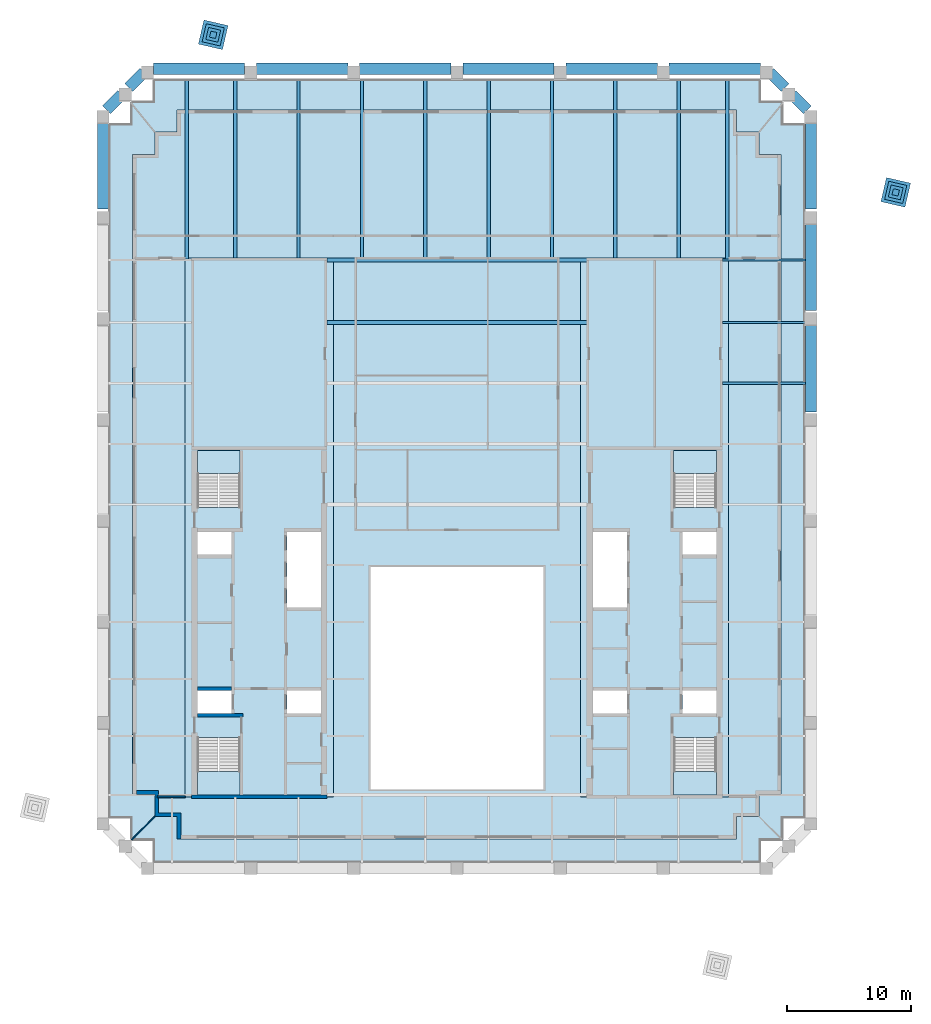
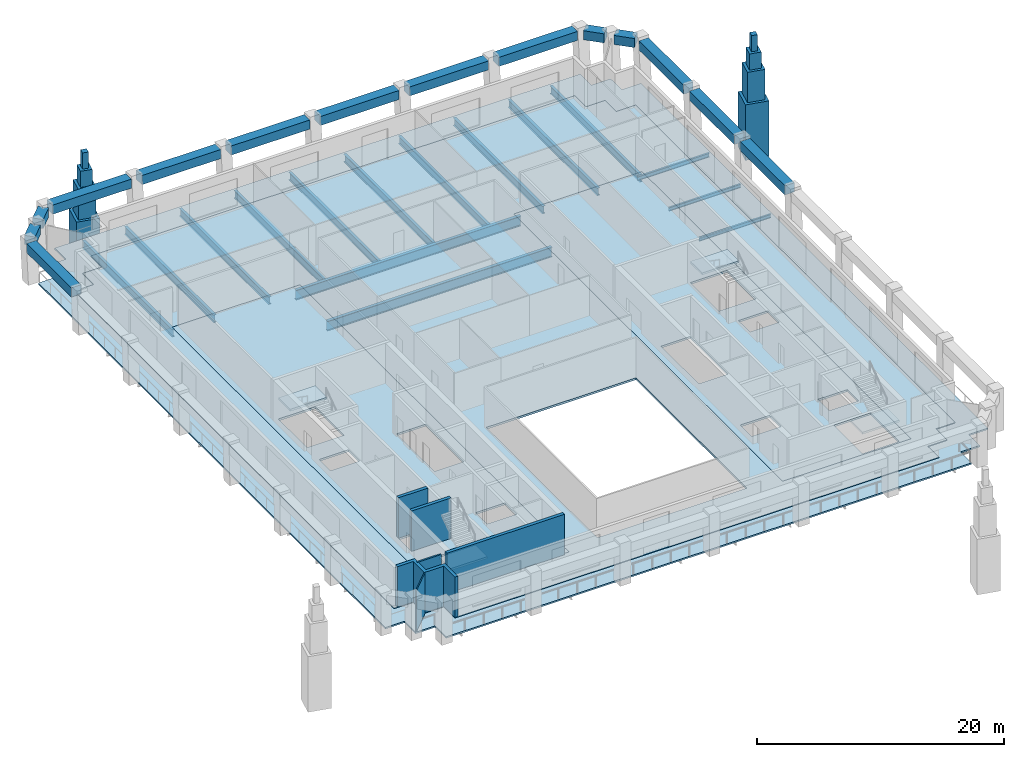
# One storey, part 2 of 8: 29 beams, 8 members, 8 slabs, 6 walls, 4 elements without a shape of their own.
"""IFC4 building model written with IfcOpenShell, lengths in metres."""

from ifc_helpers import new_model, si_unit, direction, frame, frame_2d, origin, origin_2d, place, context, subcontext, project, spatial, polyline, rectangle, i_section, outline, extrude, material, layer, layer_set, material_profile, profile_set, type_object, element, aggregate, save


model = new_model("IFC4")

# Units and contexts
model_context = context("Model", 3, precision=1e-05, world=origin(), true_north=direction((0.0, 1.0)))
body_context = subcontext(model_context, "Body", "Model", "MODEL_VIEW")
ifc_project = project(units=[si_unit("LENGTHUNIT", "METRE"), si_unit("AREAUNIT", "SQUARE_METRE"), si_unit("VOLUMEUNIT", "CUBIC_METRE"), si_unit("PLANEANGLEUNIT", "RADIAN"), si_unit("MASSUNIT", "GRAM", prefix="KILO")], contexts=[model_context])

# Site, building, storey
site_placement = place(None, origin())
site = spatial("IfcSite", under=ifc_project, at=site_placement, CompositionType="ELEMENT")
building_placement = place(site_placement, origin())
building = spatial("IfcBuilding", under=site, at=building_placement, Name="Ogive Exchange Tower", CompositionType="ELEMENT")
storey_placement = place(building_placement, frame((0.0, 0.0, 309.0)))
storey = spatial("IfcBuildingStorey", under=building, at=storey_placement, Name="L67", CompositionType="ELEMENT", Elevation=309.0)

# Beams
ifc_material_1 = material(Name="Steel ASTM A992 Gr50", Category="steel")
ifc_material_profile_1 = material_profile(ifc_material_1, i_section(OverallWidth=0.300048828125, OverallDepth=0.97998046875, WebThickness=0.0166015625, FlangeThickness=0.026123046875, at=origin_2d()), Name="W1000x249")
ifc_profile_set_1 = profile_set([ifc_material_profile_1], Name="Steel ASTM A992 Gr50")
beam_type_1 = type_object("IfcBeamType", Name="Floor beam W1000x249", PredefinedType="JOIST", material=ifc_profile_set_1)
beam_1_placement = place(storey_placement, frame((-10.52001953125, 35.782958984375, -0.68994140625), z_axis=(1.0, 0.0, 0.0), x_axis=(0.0, 1.0, 0.0)))
element("IfcBeam", 1, at=beam_1_placement, inside=storey, type_object=beam_type_1, Name="Floor beam", PredefinedType="JOIST", context=body_context, shape_type="SweptSolid", body=[
    extrude(i_section(OverallWidth=0.300048828125, OverallDepth=0.97998046875, WebThickness=0.0166015625, FlangeThickness=0.026123046875, at=origin_2d()), origin(), (0.0, 0.0, 1.0), 21.0400390625),
])
ifc_material_profile_2 = material_profile(ifc_material_1, i_section(OverallWidth=0.1708984375, OverallDepth=0.35595703125, WebThickness=0.00732421875, FlangeThickness=0.01171875, at=origin_2d()), Name="W360x51")
ifc_profile_set_2 = profile_set([ifc_material_profile_2], Name="Steel ASTM A992 Gr50")
beam_type_2 = type_object("IfcBeamType", Name="Floor beam W360x51", PredefinedType="JOIST", material=ifc_profile_set_2)
for number, where, z_axis, x_axis, name in (
    (2, (21.47998046875, 30.8759765625, -0.3779296875), (1.0, 0.0, 0.0), (0.0, 1.0, 0.0), "Floor beam"),
    (3, (21.47998046875, 35.782958984375, -0.3779296875), (1.0, 0.0, 0.0), (0.0, 1.0, 0.0), "Floor beam"),
):
    element("IfcBeam", number, at=place(storey_placement, frame(where, z_axis=z_axis, x_axis=x_axis)), inside=storey, type_object=beam_type_2, Name=name, PredefinedType="JOIST", context=body_context, shape_type="SweptSolid", body=[
        extrude(i_section(OverallWidth=0.1708984375, OverallDepth=0.35595703125, WebThickness=0.00732421875, FlangeThickness=0.01171875, at=origin_2d()), origin(), (0.0, 0.0, 1.0), 6.719970703125),
    ])
ifc_material_profile_3 = material_profile(ifc_material_1, i_section(OverallWidth=0.26708984375, OverallDepth=0.75390625, WebThickness=0.01318359375, FlangeThickness=0.01708984375, at=origin_2d()), Name="W760x147")
ifc_profile_set_3 = profile_set([ifc_material_profile_3], Name="Steel ASTM A992 Gr50")
beam_type_3 = type_object("IfcBeamType", Name="Floor beam W760x147", PredefinedType="JOIST", material=ifc_profile_set_3)
beam_2_placement = place(storey_placement, frame((-21.872802734375, 40.93408203125, -0.576904296875), z_axis=(0.0, 1.0, 0.0), x_axis=(-1.0, 0.0, 0.0)))
element("IfcBeam", 4, at=beam_2_placement, inside=storey, type_object=beam_type_3, Name="Floor beam", PredefinedType="JOIST", context=body_context, shape_type="SweptSolid", body=[
    extrude(i_section(OverallWidth=0.26708984375, OverallDepth=0.75390625, WebThickness=0.01318359375, FlangeThickness=0.01708984375, at=origin_2d()), origin(), (0.0, 0.0, 1.0), 14.5615234375),
])
for number, where, z_axis, x_axis, name in (
    (5, (-17.945556640625, 41.0, -0.576904296875), (0.0, 1.0, 0.0), (-1.0, 0.0, 0.0), "Floor beam"),
    (6, (-12.818115234375, 41.0, -0.576904296875), (0.0, 1.0, 0.0), (-1.0, 0.0, 0.0), "Floor beam"),
):
    element("IfcBeam", number, at=place(storey_placement, frame(where, z_axis=z_axis, x_axis=x_axis)), inside=storey, type_object=beam_type_3, Name=name, PredefinedType="JOIST", context=body_context, shape_type="SweptSolid", body=[
        extrude(i_section(OverallWidth=0.26708984375, OverallDepth=0.75390625, WebThickness=0.01318359375, FlangeThickness=0.01708984375, at=origin_2d()), origin(), (0.0, 0.0, 1.0), 14.49560546875),
    ])
for number, where, z_axis, x_axis, name in (
    (7, (-7.69091796875, 40.9951171875, -0.576904296875), (0.0, 1.0, 0.0), (-1.0, 0.0, 0.0), "Floor beam"),
    (8, (-2.563720703125, 40.9951171875, -0.576904296875), (0.0, 1.0, 0.0), (-1.0, 0.0, 0.0), "Floor beam"),
    (9, (2.563720703125, 40.9951171875, -0.576904296875), (0.0, 1.0, 0.0), (-1.0, 0.0, 0.0), "Floor beam"),
    (10, (7.69091796875, 40.9951171875, -0.576904296875), (0.0, 1.0, 0.0), (-1.0, 0.0, 0.0), "Floor beam"),
):
    element("IfcBeam", number, at=place(storey_placement, frame(where, z_axis=z_axis, x_axis=x_axis)), inside=storey, type_object=beam_type_3, Name=name, PredefinedType="JOIST", context=body_context, shape_type="SweptSolid", body=[
        extrude(i_section(OverallWidth=0.26708984375, OverallDepth=0.75390625, WebThickness=0.01318359375, FlangeThickness=0.01708984375, at=origin_2d()), origin(), (0.0, 0.0, 1.0), 14.50048828125),
    ])
for number, where, z_axis, x_axis, name in (
    (11, (12.818115234375, 41.0, -0.576904296875), (0.0, 1.0, 0.0), (-1.0, 0.0, 0.0), "Floor beam"),
    (12, (17.945556640625, 41.0, -0.576904296875), (0.0, 1.0, 0.0), (-1.0, 0.0, 0.0), "Floor beam"),
):
    element("IfcBeam", number, at=place(storey_placement, frame(where, z_axis=z_axis, x_axis=x_axis)), inside=storey, type_object=beam_type_3, Name=name, PredefinedType="JOIST", context=body_context, shape_type="SweptSolid", body=[
        extrude(i_section(OverallWidth=0.26708984375, OverallDepth=0.75390625, WebThickness=0.01318359375, FlangeThickness=0.01708984375, at=origin_2d()), origin(), (0.0, 0.0, 1.0), 14.49560546875),
    ])
beam_3_placement = place(storey_placement, frame((21.872802734375, 40.93408203125, -0.576904296875), z_axis=(0.0, 1.0, 0.0), x_axis=(-1.0, 0.0, 0.0)))
element("IfcBeam", 13, at=beam_3_placement, inside=storey, type_object=beam_type_3, Name="Floor beam", PredefinedType="JOIST", context=body_context, shape_type="SweptSolid", body=[
    extrude(i_section(OverallWidth=0.26708984375, OverallDepth=0.75390625, WebThickness=0.01318359375, FlangeThickness=0.01708984375, at=origin_2d()), origin(), (0.0, 0.0, 1.0), 14.5615234375),
])
ifc_material_profile_4 = material_profile(ifc_material_1, i_section(OverallWidth=0.300048828125, OverallDepth=0.97998046875, WebThickness=0.0166015625, FlangeThickness=0.026123046875, at=origin_2d()), Name="W1000x249")
ifc_profile_set_4 = profile_set([ifc_material_profile_4], Name="Steel ASTM A992 Gr50")
beam_type_4 = type_object("IfcBeamType", Name="Girder W1000x249", PredefinedType="BEAM", material=ifc_profile_set_4)
beam_4_placement = place(storey_placement, frame((-10.52001953125, 40.844970703125, -0.68994140625), z_axis=(1.0, 0.0, 0.0), x_axis=(0.0, 1.0, 0.0)))
element("IfcBeam", 14, at=beam_4_placement, inside=storey, type_object=beam_type_4, Name="Header girder", PredefinedType="BEAM", context=body_context, shape_type="SweptSolid", body=[
    extrude(i_section(OverallWidth=0.300048828125, OverallDepth=0.97998046875, WebThickness=0.0166015625, FlangeThickness=0.026123046875, at=origin_2d()), origin(), (0.0, 0.0, 1.0), 21.0400390625),
])
ifc_material_profile_5 = material_profile(ifc_material_1, i_section(OverallWidth=0.177978515625, OverallDepth=0.406005859375, WebThickness=0.0078125, FlangeThickness=0.0126953125, at=origin_2d()), Name="W410x60")
ifc_profile_set_5 = profile_set([ifc_material_profile_5], Name="Steel ASTM A992 Gr50")
beam_type_5 = type_object("IfcBeamType", Name="Girder W410x60", PredefinedType="BEAM", material=ifc_profile_set_5)
beam_5_placement = place(storey_placement, frame((21.47998046875, 40.844970703125, -0.403076171875), z_axis=(1.0, 0.0, 0.0), x_axis=(0.0, 1.0, 0.0)))
element("IfcBeam", 15, at=beam_5_placement, inside=storey, type_object=beam_type_5, Name="Header girder", PredefinedType="BEAM", context=body_context, shape_type="SweptSolid", body=[
    extrude(i_section(OverallWidth=0.177978515625, OverallDepth=0.406005859375, WebThickness=0.0078125, FlangeThickness=0.0126953125, at=origin_2d()), origin(), (0.0, 0.0, 1.0), 6.719970703125),
])

# Members
ifc_material_2 = material(Name="Precast concrete C50/60", Category="concrete")
ifc_material_profile_6 = material_profile(ifc_material_2, rectangle(XDim=2.0, YDim=2.0, at=origin_2d()), Name="PINNACLE 1 2000 x 2000")
ifc_profile_set_6 = profile_set([ifc_material_profile_6], Name="Precast concrete C50/60")
member_type_1 = type_object("IfcMemberType", Name="Precast pinnacle stage 1 2000 x 2000 C50/60", PredefinedType="USERDEFINED", material=ifc_profile_set_6)
for number, where, z_axis, x_axis, name in (
    (16, (35.51904296875, 46.322998046875, -6.0), (0.0, 0.0, 1.0), (0.974370064785, -0.224951054344, 0.0), "Head pinnacle 4-2"),
    (17, (-19.72802734375, 59.077880859375, -6.0), (0.0, 0.0, 1.0), (0.974370064785, -0.224951054344, 0.0), "Head pinnacle 4-3"),
):
    element("IfcMember", number, at=place(storey_placement, frame(where, z_axis=z_axis, x_axis=x_axis)), inside=storey, type_object=member_type_1, Name=name, ObjectType="PINNACLE", PredefinedType="USERDEFINED", context=body_context, shape_type="SweptSolid", body=[
        extrude(rectangle(XDim=2.0, YDim=2.0, at=origin_2d()), origin(), (0.0, 0.0, 1.0), 5.5),
    ])
ifc_material_profile_7 = material_profile(ifc_material_2, rectangle(XDim=1.5, YDim=1.5, at=origin_2d()), Name="PINNACLE 2 1500 x 1500")
ifc_profile_set_7 = profile_set([ifc_material_profile_7], Name="Precast concrete C50/60")
member_type_2 = type_object("IfcMemberType", Name="Precast pinnacle stage 2 1500 x 1500 C50/60", PredefinedType="USERDEFINED", material=ifc_profile_set_7)
for number, where, z_axis, x_axis, name in (
    (18, (35.51904296875, 46.322998046875, -0.5), (0.0, 0.0, 1.0), (0.974370064785, -0.224951054344, 0.0), "Head pinnacle 4-2 stage 2"),
    (19, (-19.72802734375, 59.077880859375, -0.5), (0.0, 0.0, 1.0), (0.974370064785, -0.224951054344, 0.0), "Head pinnacle 4-3 stage 2"),
):
    element("IfcMember", number, at=place(storey_placement, frame(where, z_axis=z_axis, x_axis=x_axis)), inside=storey, type_object=member_type_2, Name=name, ObjectType="PINNACLE", PredefinedType="USERDEFINED", context=body_context, shape_type="SweptSolid", body=[
        extrude(rectangle(XDim=1.5, YDim=1.5, at=origin_2d()), origin(), (0.0, 0.0, 1.0), 3.0),
    ])
ifc_material_profile_8 = material_profile(ifc_material_2, rectangle(XDim=1.0, YDim=1.0, at=origin_2d()), Name="PINNACLE 3 1000 x 1000")
ifc_profile_set_8 = profile_set([ifc_material_profile_8], Name="Precast concrete C50/60")
member_type_3 = type_object("IfcMemberType", Name="Precast pinnacle stage 3 1000 x 1000 C50/60", PredefinedType="USERDEFINED", material=ifc_profile_set_8)
for number, where, z_axis, x_axis, name in (
    (20, (35.51904296875, 46.322998046875, 2.5), (0.0, 0.0, 1.0), (0.974370064785, -0.224951054344, 0.0), "Head pinnacle 4-2 stage 3"),
    (21, (-19.72802734375, 59.077880859375, 2.5), (0.0, 0.0, 1.0), (0.974370064785, -0.224951054344, 0.0), "Head pinnacle 4-3 stage 3"),
):
    element("IfcMember", number, at=place(storey_placement, frame(where, z_axis=z_axis, x_axis=x_axis)), inside=storey, type_object=member_type_3, Name=name, ObjectType="PINNACLE", PredefinedType="USERDEFINED", context=body_context, shape_type="SweptSolid", body=[
        extrude(rectangle(XDim=1.0, YDim=1.0, at=origin_2d()), origin(), (0.0, 0.0, 1.0), 1.60009765625),
    ])
ifc_material_profile_9 = material_profile(ifc_material_2, rectangle(XDim=0.5, YDim=0.5, at=origin_2d()), Name="PINNACLE 4 500 x 500")
ifc_profile_set_9 = profile_set([ifc_material_profile_9], Name="Precast concrete C50/60")
member_type_4 = type_object("IfcMemberType", Name="Precast pinnacle stage 4 500 x 500 C50/60", PredefinedType="USERDEFINED", material=ifc_profile_set_9)
for number, where, z_axis, x_axis, name in (
    (22, (35.51904296875, 46.322998046875, 4.10009765625), (0.0, 0.0, 1.0), (0.974370064785, -0.224951054344, 0.0), "Head pinnacle 4-2 stage 4"),
    (23, (-19.72802734375, 59.077880859375, 4.10009765625), (0.0, 0.0, 1.0), (0.974370064785, -0.224951054344, 0.0), "Head pinnacle 4-3 stage 4"),
):
    element("IfcMember", number, at=place(storey_placement, frame(where, z_axis=z_axis, x_axis=x_axis)), inside=storey, type_object=member_type_4, Name=name, ObjectType="PINNACLE", PredefinedType="USERDEFINED", context=body_context, shape_type="SweptSolid", body=[
        extrude(rectangle(XDim=0.5, YDim=0.5, at=origin_2d()), origin(), (0.0, 0.0, 1.0), 1.599853515625),
    ])

# Beams
ifc_material_3 = material(Name="Precast concrete C70/85 (limestone faced)", Category="masonry")
ifc_material_profile_10 = material_profile(ifc_material_3, rectangle(XDim=0.89990234375, YDim=0.89990234375, at=origin_2d()), Name="900 x 900")
ifc_profile_set_10 = profile_set([ifc_material_profile_10], Name="Precast concrete C70/85 (limestone faced)")
beam_type_6 = type_object("IfcBeamType", Name="Precast spandrel 900 x 900 C70/85", PredefinedType="SPANDREL", material=ifc_profile_set_10)
for number, where, z_axis, x_axis, name in (
    (24, (28.64990234375, 28.552734375, 3.5), (0.0, 1.0, 0.0), (-1.0, 0.0, 0.0), "Spandrel 13"),
    (25, (28.64990234375, 36.77099609375, 3.5), (0.0, 1.0, 0.0), (-1.0, 0.0, 0.0), "Spandrel 14"),
):
    element("IfcBeam", number, at=place(storey_placement, frame(where, z_axis=z_axis, x_axis=x_axis)), inside=storey, type_object=beam_type_6, Name=name, PredefinedType="SPANDREL", context=body_context, shape_type="SweptSolid", body=[
        extrude(rectangle(XDim=0.89990234375, YDim=0.89990234375, at=origin_2d()), origin(), (0.0, 0.0, 1.0), 7.258056640625),
    ])
beam_6_placement = place(storey_placement, frame((28.64990234375, 44.989013671875, 3.5), z_axis=(0.0, 1.0, 0.0), x_axis=(-1.0, 0.0, 0.0)))
element("IfcBeam", 26, at=beam_6_placement, inside=storey, type_object=beam_type_6, Name="Spandrel 15", PredefinedType="SPANDREL", context=body_context, shape_type="SweptSolid", body=[
    extrude(rectangle(XDim=0.89990234375, YDim=0.89990234375, at=origin_2d()), origin(), (0.0, 0.0, 1.0), 7.25830078125),
])
beam_7_placement = place(storey_placement, frame((28.362060546875, 53.01513671875, 3.5), z_axis=(-0.707036271462, 0.707177283881, 0.0), x_axis=(-0.707177283881, -0.707036271462, 0.0)))
element("IfcBeam", 27, at=beam_7_placement, inside=storey, type_object=beam_type_6, Name="Spandrel 16", PredefinedType="SPANDREL", context=body_context, shape_type="SweptSolid", body=[
    extrude(rectangle(XDim=0.89990234375, YDim=0.89990234375, at=origin_2d()), origin(), (0.0, 0.0, 1.0), 1.7314453125),
])
beam_8_placement = place(storey_placement, frame((26.56201171875, 54.815185546875, 3.5), z_axis=(-0.707106781187, 0.707106781187, 0.0), x_axis=(-0.707106781187, -0.707106781187, 0.0)))
element("IfcBeam", 28, at=beam_8_placement, inside=storey, type_object=beam_type_6, Name="Spandrel 17", PredefinedType="SPANDREL", context=body_context, shape_type="SweptSolid", body=[
    extrude(rectangle(XDim=0.89990234375, YDim=0.89990234375, at=origin_2d()), origin(), (0.0, 0.0, 1.0), 1.731201171875),
])
beam_9_placement = place(storey_placement, frame((24.570068359375, 56.327392578125, 3.5), z_axis=(-1.0, 0.0, 0.0), x_axis=(0.0, -1.0, 0.0)))
element("IfcBeam", 29, at=beam_9_placement, inside=storey, type_object=beam_type_6, Name="Spandrel 18", PredefinedType="SPANDREL", context=body_context, shape_type="SweptSolid", body=[
    extrude(rectangle(XDim=0.89990234375, YDim=0.89990234375, at=origin_2d()), origin(), (0.0, 0.0, 1.0), 7.39013671875),
])
beam_10_placement = place(storey_placement, frame((16.219970703125, 56.327392578125, 3.5), z_axis=(-1.0, 0.0, 0.0), x_axis=(0.0, -1.0, 0.0)))
element("IfcBeam", 30, at=beam_10_placement, inside=storey, type_object=beam_type_6, Name="Spandrel 19", PredefinedType="SPANDREL", context=body_context, shape_type="SweptSolid", body=[
    extrude(rectangle(XDim=0.89990234375, YDim=0.89990234375, at=origin_2d()), origin(), (0.0, 0.0, 1.0), 7.389892578125),
])
for number, where, z_axis, x_axis, name in (
    (31, (7.8701171875, 56.327392578125, 3.5), (-1.0, 0.0, 0.0), (0.0, -1.0, 0.0), "Spandrel 20"),
    (32, (-0.47998046875, 56.327392578125, 3.5), (-1.0, 0.0, 0.0), (0.0, -1.0, 0.0), "Spandrel 21"),
):
    element("IfcBeam", number, at=place(storey_placement, frame(where, z_axis=z_axis, x_axis=x_axis)), inside=storey, type_object=beam_type_6, Name=name, PredefinedType="SPANDREL", context=body_context, shape_type="SweptSolid", body=[
        extrude(rectangle(XDim=0.89990234375, YDim=0.89990234375, at=origin_2d()), origin(), (0.0, 0.0, 1.0), 7.39013671875),
    ])
beam_11_placement = place(storey_placement, frame((-8.830078125, 56.327392578125, 3.5), z_axis=(-1.0, 0.0, 0.0), x_axis=(0.0, -1.0, 0.0)))
element("IfcBeam", 33, at=beam_11_placement, inside=storey, type_object=beam_type_6, Name="Spandrel 22", PredefinedType="SPANDREL", context=body_context, shape_type="SweptSolid", body=[
    extrude(rectangle(XDim=0.89990234375, YDim=0.89990234375, at=origin_2d()), origin(), (0.0, 0.0, 1.0), 7.389892578125),
])
beam_12_placement = place(storey_placement, frame((-17.179931640625, 56.327392578125, 3.5), z_axis=(-1.0, 0.0, 0.0), x_axis=(0.0, -1.0, 0.0)))
element("IfcBeam", 34, at=beam_12_placement, inside=storey, type_object=beam_type_6, Name="Spandrel 23", PredefinedType="SPANDREL", context=body_context, shape_type="SweptSolid", body=[
    extrude(rectangle(XDim=0.89990234375, YDim=0.89990234375, at=origin_2d()), origin(), (0.0, 0.0, 1.0), 7.39013671875),
])
beam_13_placement = place(storey_placement, frame((-25.337890625, 56.039306640625, 3.5), z_axis=(-0.707106781187, -0.707106781187, 0.0), x_axis=(0.707106781187, -0.707106781187, 0.0)))
element("IfcBeam", 35, at=beam_13_placement, inside=storey, type_object=beam_type_6, Name="Spandrel 24", PredefinedType="SPANDREL", context=body_context, shape_type="SweptSolid", body=[
    extrude(rectangle(XDim=0.89990234375, YDim=0.89990234375, at=origin_2d()), origin(), (0.0, 0.0, 1.0), 1.731201171875),
])
beam_14_placement = place(storey_placement, frame((-27.137939453125, 54.239501953125, 3.5), z_axis=(-0.707036271462, -0.707177283881, 0.0), x_axis=(0.707177283881, -0.707036271462, 0.0)))
element("IfcBeam", 36, at=beam_14_placement, inside=storey, type_object=beam_type_6, Name="Spandrel 25", PredefinedType="SPANDREL", context=body_context, shape_type="SweptSolid", body=[
    extrude(rectangle(XDim=0.89990234375, YDim=0.89990234375, at=origin_2d()), origin(), (0.0, 0.0, 1.0), 1.7314453125),
])
beam_15_placement = place(storey_placement, frame((-28.64990234375, 52.247314453125, 3.5), z_axis=(0.0, -1.0, 0.0), x_axis=(1.0, 0.0, 0.0)))
element("IfcBeam", 37, at=beam_15_placement, inside=storey, type_object=beam_type_6, Name="Spandrel 26", PredefinedType="SPANDREL", context=body_context, shape_type="SweptSolid", body=[
    extrude(rectangle(XDim=0.89990234375, YDim=0.89990234375, at=origin_2d()), origin(), (0.0, 0.0, 1.0), 7.25830078125),
])

# Slabs
ifc_material_4 = material(Name="Concrete C50/60", Category="concrete")
ifc_layer_1 = layer(ifc_material_4, 0.199951171875)
ifc_layer_set_1 = layer_set([ifc_layer_1], Name="Composite floor slab 200")
slab_type_1 = type_object("IfcSlabType", Name="Composite floor slab 200", PredefinedType="FLOOR", material=ifc_layer_set_1)
slab_1_placement = place(storey_placement, frame((0.0, 0.0, -0.199951171875)))
element("IfcSlab", 38, at=slab_1_placement, inside=storey, type_object=slab_type_1, Name="Composite floor slab", PredefinedType="FLOOR", context=body_context, shape_type="SweptSolid", body=[
    extrude(outline(polyline([(-22.64990234375, -4.199951171875), (-24.449951171875, -4.199951171875), (-24.449951171875, -2.39990234375), (-26.25, -2.39990234375), (-26.25, 49.39990234375), (-24.449951171875, 49.39990234375), (-24.449951171875, 51.199951171875), (-22.64990234375, 51.199951171875), (-22.64990234375, 53.0), (22.64990234375, 53.0), (22.64990234375, 51.199951171875), (24.449951171875, 51.199951171875), (24.449951171875, 49.39990234375), (26.25, 49.39990234375), (26.25, -2.39990234375), (24.449951171875, -2.39990234375), (24.449951171875, -4.199951171875), (22.64990234375, -4.199951171875), (22.64990234375, -6.0), (-22.64990234375, -6.0), (-22.64990234375, -4.199951171875)]), holes=[polyline([(7.0, -2.0), (7.0, 16.0), (-7.0, 16.0), (-7.0, -2.0), (7.0, -2.0)]), polyline([(-22.0, -2.60009765625), (-10.0, -2.60009765625), (-10.0, 41.0), (-22.0, 41.0), (-22.0, -2.60009765625)]), polyline([(10.0, -2.60009765625), (22.0, -2.60009765625), (22.0, 41.0), (10.0, 41.0), (10.0, -2.60009765625)])]), origin(), (0.0, 0.0, 1.0), 0.199951171875),
])
ifc_material_5 = material(Name="Concrete C70/85", Category="concrete")
ifc_layer_2 = layer(ifc_material_5, 0.199951171875)
ifc_layer_set_2 = layer_set([ifc_layer_2], Name="Core floor slab 200")
slab_type_2 = type_object("IfcSlabType", Name="Core floor slab 200", PredefinedType="FLOOR", material=ifc_layer_set_2)
slab_2_placement = place(storey_placement, frame((0.0, 0.0, -0.199951171875)))
element("IfcSlab", 39, at=slab_2_placement, inside=storey, type_object=slab_type_2, Name="Core floor slab", PredefinedType="FLOOR", context=body_context, shape_type="SweptSolid", body=[
    extrude(outline(polyline([(-22.0, -2.60009765625), (-22.0, 41.0), (-10.0, 41.0), (-10.0, -2.60009765625), (-22.0, -2.60009765625)]), holes=[polyline([(-17.550048828125, 2.196044921875), (-21.0, 2.196044921875), (-21.0, -2.449951171875), (-17.550048828125, -2.449951171875), (-17.550048828125, 2.196044921875)]), polyline([(-18.25, 5.992919921875), (-21.0, 5.992919921875), (-21.0, 4.14990234375), (-18.25, 4.14990234375), (-18.25, 5.992919921875)]), polyline([(-11.0, 5.992919921875), (-13.75, 5.992919921875), (-13.75, 4.14990234375), (-11.0, 4.14990234375), (-11.0, 5.992919921875)]), polyline([(-13.75, 18.85009765625), (-13.75, 12.721435546875), (-11.0, 12.721435546875), (-11.0, 18.85009765625), (-13.75, 18.85009765625)]), polyline([(-18.25, 18.85009765625), (-21.0, 18.85009765625), (-21.0, 17.007080078125), (-18.25, 17.007080078125), (-18.25, 18.85009765625)]), polyline([(-21.0, 25.449951171875), (-21.0, 20.803955078125), (-17.550048828125, 20.803955078125), (-17.550048828125, 25.449951171875), (-21.0, 25.449951171875)])]), origin(), (0.0, 0.0, 1.0), 0.199951171875),
])
slab_3_placement = place(storey_placement, frame((0.0, 0.0, -0.199951171875)))
element("IfcSlab", 40, at=slab_3_placement, inside=storey, type_object=slab_type_2, Name="Core floor slab", PredefinedType="FLOOR", context=body_context, shape_type="SweptSolid", body=[
    extrude(outline(polyline([(10.0, -2.60009765625), (10.0, 41.0), (22.0, 41.0), (22.0, -2.60009765625), (10.0, -2.60009765625)]), holes=[polyline([(21.0, 2.196044921875), (17.550048828125, 2.196044921875), (17.550048828125, -2.449951171875), (21.0, -2.449951171875), (21.0, 2.196044921875)]), polyline([(13.75, 5.992919921875), (11.0, 5.992919921875), (11.0, 4.14990234375), (13.75, 4.14990234375), (13.75, 5.992919921875)]), polyline([(21.0, 5.992919921875), (18.25, 5.992919921875), (18.25, 4.14990234375), (21.0, 4.14990234375), (21.0, 5.992919921875)]), polyline([(11.0, 18.85009765625), (11.0, 12.721435546875), (13.75, 12.721435546875), (13.75, 18.85009765625), (11.0, 18.85009765625)]), polyline([(21.0, 18.85009765625), (18.25, 18.85009765625), (18.25, 17.007080078125), (21.0, 17.007080078125), (21.0, 18.85009765625)]), polyline([(17.550048828125, 25.449951171875), (17.550048828125, 20.803955078125), (21.0, 20.803955078125), (21.0, 25.449951171875), (17.550048828125, 25.449951171875)])]), origin(), (0.0, 0.0, 1.0), 0.199951171875),
])
ifc_layer_3 = layer(ifc_material_4, 0.14990234375)
ifc_layer_set_3 = layer_set([ifc_layer_3], Name="Loggia deck 150")
slab_type_3 = type_object("IfcSlabType", Name="Loggia deck 150", PredefinedType="FLOOR", material=ifc_layer_set_3)
slab_4_placement = place(storey_placement, frame((0.0, 0.0, -0.199951171875)))
element("IfcSlab", 41, at=slab_4_placement, inside=storey, type_object=slab_type_3, Name="Loggia deck", PredefinedType="FLOOR", context=body_context, shape_type="SweptSolid", body=[
    extrude(outline(polyline([(-24.60009765625, -6.14990234375), (-26.39990234375, -6.14990234375), (-26.39990234375, -4.35009765625), (-28.199951171875, -4.35009765625), (-28.199951171875, 51.8955078125), (-26.39990234375, 51.8955078125), (-26.39990234375, 53.695556640625), (-24.60009765625, 53.695556640625), (-24.60009765625, 55.49560546875), (24.60009765625, 55.49560546875), (24.60009765625, 53.695556640625), (26.39990234375, 53.695556640625), (26.39990234375, 51.8955078125), (28.199951171875, 51.8955078125), (28.199951171875, -4.35009765625), (26.39990234375, -4.35009765625), (26.39990234375, -6.14990234375), (24.60009765625, -6.14990234375), (24.60009765625, -7.949951171875), (-24.60009765625, -7.949951171875), (-24.60009765625, -6.14990234375)]), holes=[polyline([(22.64990234375, -4.199951171875), (24.449951171875, -4.199951171875), (24.449951171875, -2.39990234375), (26.25, -2.39990234375), (26.25, 49.39990234375), (24.449951171875, 49.39990234375), (24.449951171875, 51.199951171875), (22.64990234375, 51.199951171875), (22.64990234375, 53.0), (-22.64990234375, 53.0), (-22.64990234375, 51.199951171875), (-24.449951171875, 51.199951171875), (-24.449951171875, 49.39990234375), (-26.25, 49.39990234375), (-26.25, -2.39990234375), (-24.449951171875, -2.39990234375), (-24.449951171875, -4.199951171875), (-22.64990234375, -4.199951171875), (-22.64990234375, -6.0), (22.64990234375, -6.0), (22.64990234375, -4.199951171875)])]), origin(), (0.0, 0.0, 1.0), 0.14990234375),
])

# Stair, slab
ifc_material_6 = material(Name="Concrete C40/50", Category="concrete")
stair_type = type_object("IfcStairType", Name="Exit stair 1650 wide", PredefinedType="HALF_TURN_STAIR", material=ifc_material_6)
stair_1_placement = place(storey_placement, origin())
stair_1 = element("IfcStair", 42, at=stair_1_placement, inside=storey, type_object=stair_type, Name="L67 exit stair ST1", PredefinedType="HALF_TURN_STAIR")
ifc_layer_4 = layer(ifc_material_6, 0.199951171875)
ifc_layer_set_4 = layer_set([ifc_layer_4], Name="Stair landing 200 slab")
slab_type_4 = type_object("IfcSlabType", Name="Stair landing 200 slab", PredefinedType="LANDING", material=ifc_layer_set_4)
slab_5_placement = place(storey_placement, frame((0.0, 0.0, 1.89990234375)))
slab_5 = element("IfcSlab", 43, at=slab_5_placement, type_object=slab_type_4, Name="ST1 landing 1", PredefinedType="LANDING", context=body_context, shape_type="SweptSolid", body=[
    extrude(outline(polyline([(-21.0, -0.550048828125), (-21.0, -2.449951171875), (-17.550048828125, -2.449951171875), (-17.550048828125, -0.550048828125), (-21.0, -0.550048828125)])), origin(), (0.0, 0.0, 1.0), 0.2001953125),
])
aggregate(stair_1, [slab_5])

stair_2_placement = place(storey_placement, origin())
stair_2 = element("IfcStair", 44, at=stair_2_placement, inside=storey, type_object=stair_type, Name="L67 exit stair ST2", PredefinedType="HALF_TURN_STAIR")
slab_6_placement = place(storey_placement, frame((0.0, 0.0, 1.89990234375)))
slab_6 = element("IfcSlab", 45, at=slab_6_placement, type_object=slab_type_4, Name="ST2 landing 1", PredefinedType="LANDING", context=body_context, shape_type="SweptSolid", body=[
    extrude(outline(polyline([(-17.550048828125, 23.550048828125), (-17.550048828125, 25.449951171875), (-21.0, 25.449951171875), (-21.0, 23.550048828125), (-17.550048828125, 23.550048828125)])), origin(), (0.0, 0.0, 1.0), 0.2001953125),
])
aggregate(stair_2, [slab_6])

stair_3_placement = place(storey_placement, origin())
stair_3 = element("IfcStair", 46, at=stair_3_placement, inside=storey, type_object=stair_type, Name="L67 exit stair ST3", PredefinedType="HALF_TURN_STAIR")
slab_7_placement = place(storey_placement, frame((0.0, 0.0, 1.89990234375)))
slab_7 = element("IfcSlab", 47, at=slab_7_placement, type_object=slab_type_4, Name="ST3 landing 1", PredefinedType="LANDING", context=body_context, shape_type="SweptSolid", body=[
    extrude(outline(polyline([(17.550048828125, -0.550048828125), (17.550048828125, -2.449951171875), (21.0, -2.449951171875), (21.0, -0.550048828125), (17.550048828125, -0.550048828125)])), origin(), (0.0, 0.0, 1.0), 0.2001953125),
])
aggregate(stair_3, [slab_7])

stair_4_placement = place(storey_placement, origin())
stair_4 = element("IfcStair", 48, at=stair_4_placement, inside=storey, type_object=stair_type, Name="L67 exit stair ST4", PredefinedType="HALF_TURN_STAIR")
slab_8_placement = place(storey_placement, frame((0.0, 0.0, 1.89990234375)))
slab_8 = element("IfcSlab", 49, at=slab_8_placement, type_object=slab_type_4, Name="ST4 landing 1", PredefinedType="LANDING", context=body_context, shape_type="SweptSolid", body=[
    extrude(outline(polyline([(21.0, 23.550048828125), (21.0, 25.449951171875), (17.550048828125, 25.449951171875), (17.550048828125, 23.550048828125), (21.0, 23.550048828125)])), origin(), (0.0, 0.0, 1.0), 0.2001953125),
])
aggregate(stair_4, [slab_8])

# Walls
ifc_material_7 = material(Name="Fire partition EI 60 150")
ifc_layer_5 = layer(ifc_material_7, 0.14990234375)
ifc_layer_set_5 = layer_set([ifc_layer_5], Name="Fire partition EI 60 150")
wall_type_1 = type_object("IfcWallType", Name="Fire partition EI 60 150", PredefinedType="PARTITIONING", material=ifc_layer_set_5)
wall_1_placement = place(storey_placement, frame((-24.25, -2.60009765625, 0.0), z_axis=(0.0, 0.0, 1.0), x_axis=(1.0, 0.0, 0.0)))
element("IfcWall", 50, at=wall_1_placement, inside=storey, type_object=wall_type_1, Name="L67-PWL-002", PredefinedType="PARTITIONING", context=body_context, shape_type="SweptSolid", body=[
    extrude(rectangle(XDim=2.25, YDim=0.14990234375, at=frame_2d((1.125, 0.0))), origin(), (0.0, 0.0, 1.0), 4.0),
])
ifc_material_8 = material(Name="Precast concrete C40/50", Category="concrete")
ifc_layer_6 = layer(ifc_material_8, 0.300048828125)
ifc_layer_set_6 = layer_set([ifc_layer_6], Name="Limestone-faced wall 300")
wall_type_2 = type_object("IfcWallType", Name="Limestone-faced wall 300", PredefinedType="STANDARD", material=ifc_layer_set_6)
wall_2_placement = place(storey_placement, origin())
element("IfcWall", 51, at=wall_2_placement, inside=storey, type_object=wall_type_2, Name="External corner wall C4", PredefinedType="STANDARD", context=body_context, shape_type="SweptSolid", body=[
    extrude(outline(polyline([(-22.64990234375, -4.199951171875), (-24.449951171875, -4.199951171875), (-24.449951171875, -2.39990234375), (-25.949951171875, -2.39990234375), (-25.949951171875, -2.10009765625), (-24.14990234375, -2.10009765625), (-24.14990234375, -3.89990234375), (-22.35009765625, -3.89990234375), (-22.35009765625, -6.0), (-22.64990234375, -6.0), (-22.64990234375, -4.199951171875)])), origin(), (0.0, 0.0, 1.0), 4.0),
])
ifc_material_9 = material(Name="Laminated safety glass in steel frame", Category="steel")
ifc_layer_7 = layer(ifc_material_9, 0.10009765625)
ifc_layer_set_7 = layer_set([ifc_layer_7], Name="Loggia end screen 100")
wall_type_3 = type_object("IfcWallType", Name="Loggia end screen 100", PredefinedType="STANDARD", material=ifc_layer_set_7)
wall_3_placement = place(storey_placement, frame((-24.449951171875, -4.199951171875, -0.050048828125), z_axis=(0.0, 0.0, 1.0), x_axis=(-0.707106781187, -0.707106781187, 0.0)))
element("IfcWall", 52, at=wall_3_placement, inside=storey, type_object=wall_type_3, Name="Loggia end screen C4", PredefinedType="STANDARD", context=body_context, shape_type="SweptSolid", body=[
    extrude(rectangle(XDim=2.667236328125, YDim=0.10009765625, at=frame_2d((1.33349609375, 0.0))), origin(), (0.0, 0.0, 1.0), 4.050048828125),
])
ifc_layer_8 = layer(ifc_material_5, 0.300048828125)
ifc_layer_set_8 = layer_set([ifc_layer_8], Name="RC core wall 300 C70/85")
wall_type_4 = type_object("IfcWallType", Name="RC core wall 300 C70/85", PredefinedType="SHEAR", material=ifc_layer_set_8)
wall_4_placement = place(storey_placement, frame((-21.5, -2.60009765625, 0.0), z_axis=(0.0, 0.0, 1.0), x_axis=(1.0, 0.0, 0.0)))
element("IfcWall", 53, at=wall_4_placement, inside=storey, type_object=wall_type_4, Name="W south end wall", PredefinedType="SHEAR", context=body_context, shape_type="SweptSolid", body=[
    extrude(rectangle(XDim=11.0, YDim=0.300048828125, at=frame_2d((5.5, 0.0))), origin(), (0.0, 0.0, 1.0), 4.0),
])
wall_5_placement = place(storey_placement, frame((-21.0, 4.0, 0.0), z_axis=(0.0, 0.0, 1.0), x_axis=(1.0, 0.0, 0.0)))
element("IfcWall", 54, at=wall_5_placement, inside=storey, type_object=wall_type_4, Name="W stair S north wall", PredefinedType="SHEAR", context=body_context, shape_type="SweptSolid", body=[
    extrude(rectangle(XDim=3.699951171875, YDim=0.300048828125, at=frame_2d((1.85009765625, 0.0))), origin(), (0.0, 0.0, 1.0), 4.0),
])
wall_6_placement = place(storey_placement, frame((-21.0, 6.142822265625, 0.0), z_axis=(0.0, 0.0, 1.0), x_axis=(1.0, 0.0, 0.0)))
element("IfcWall", 55, at=wall_6_placement, inside=storey, type_object=wall_type_4, Name="W row A divider 1", PredefinedType="SHEAR", context=body_context, shape_type="SweptSolid", body=[
    extrude(rectangle(XDim=2.75, YDim=0.300048828125, at=frame_2d((1.375, 0.0))), origin(), (0.0, 0.0, 1.0), 4.0),
])

save(model, "model.ifc")
